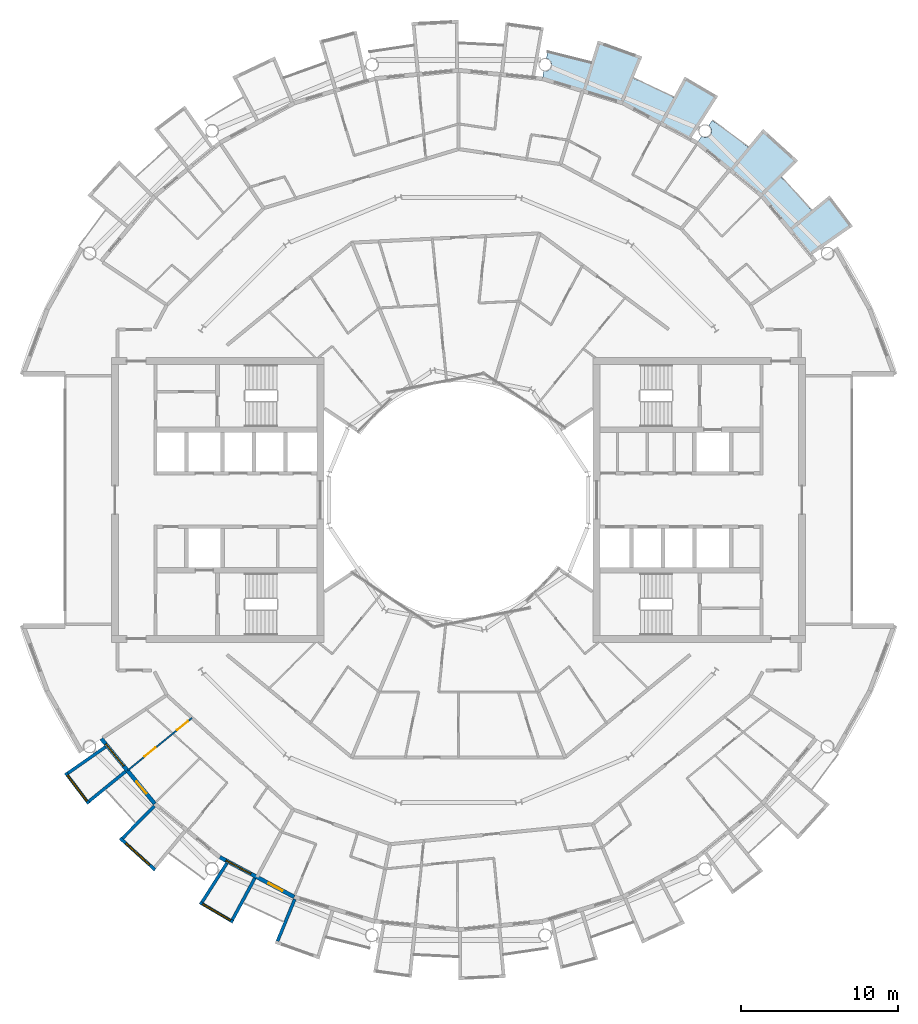
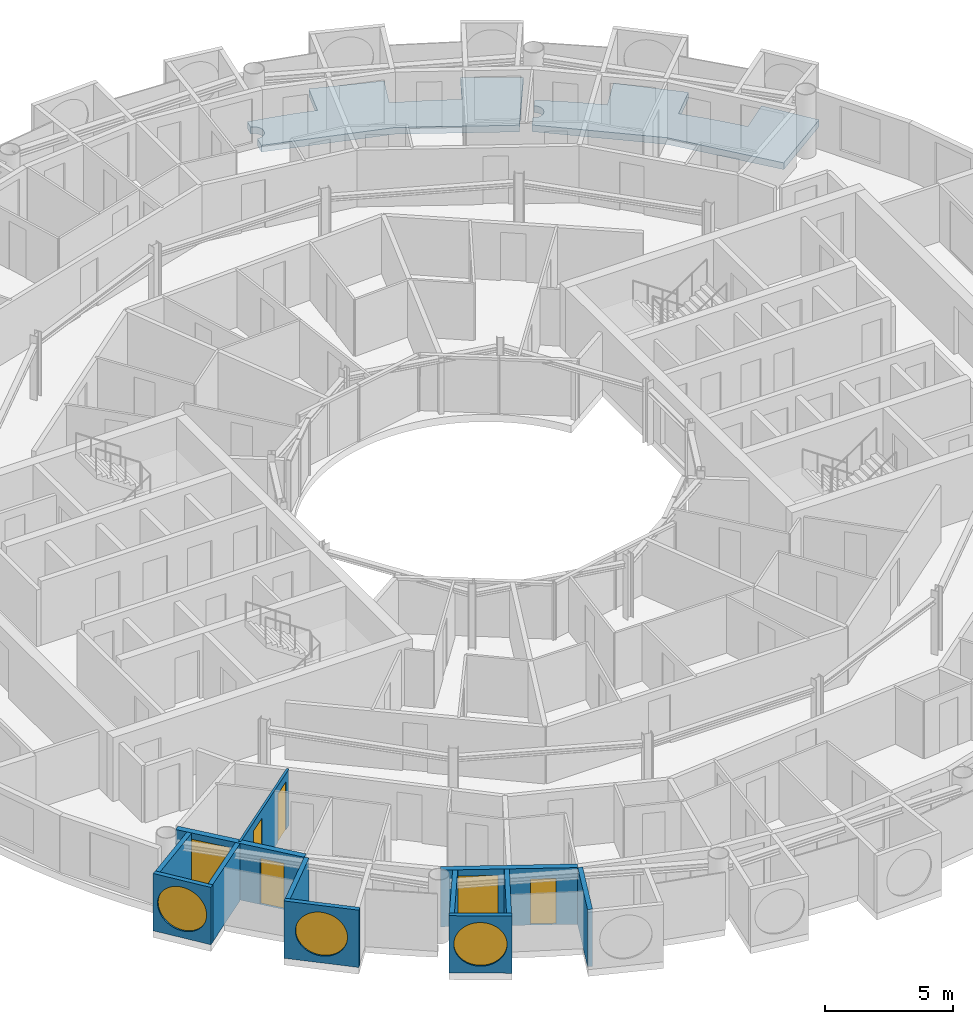
# One storey, part 14 of 29: 12 walls, 5 windows, 4 doors, 2 slabs, 9 openings.
"""IFC4 building model written with IfcOpenShell, lengths in metres."""

from ifc_helpers import new_model, si_unit, direction, frame, frame_2d, origin, place, context, subcontext, project, spatial, polyline, rectangle, circle, outline, extrude, material, layer, layer_set, type_object, element, fill, save


model = new_model("IFC4")

# Units and contexts
model_context = context("Model", 3, precision=1e-05, world=origin(), true_north=direction((0.0, 1.0)))
body_context = subcontext(model_context, "Body", "Model", "MODEL_VIEW")
ifc_project = project(units=[si_unit("LENGTHUNIT", "METRE"), si_unit("AREAUNIT", "SQUARE_METRE"), si_unit("VOLUMEUNIT", "CUBIC_METRE"), si_unit("PLANEANGLEUNIT", "RADIAN"), si_unit("MASSUNIT", "GRAM", prefix="KILO")], contexts=[model_context])

# Site, building, storey
site_placement = place(None, origin())
site = spatial("IfcSite", under=ifc_project, at=site_placement, CompositionType="ELEMENT")
building_placement = place(site_placement, origin())
building = spatial("IfcBuilding", under=site, at=building_placement, Name="Maasbend Ring Residences", CompositionType="ELEMENT")
storey_placement = place(building_placement, frame((0.0, 0.0, 205.449951171875)))
storey = spatial("IfcBuildingStorey", under=building, at=storey_placement, Name="L59", CompositionType="ELEMENT", Elevation=205.449951171875)

# Slabs
ifc_material_1 = material(Name="Concrete C40/50", Category="concrete")
ifc_layer_1 = layer(ifc_material_1, 0.199951171875)
ifc_layer_set_1 = layer_set([ifc_layer_1], Name="Concrete C40/50")
slab_type = type_object("IfcSlabType", Name="SL-LOGGIA", PredefinedType="FLOOR", material=ifc_layer_set_1)
slab_1_placement = place(storey_placement, frame((0.0, 0.0, -0.349853515625)))
element("IfcSlab", 1, at=slab_1_placement, inside=storey, type_object=slab_type, Name="Loggia floor 2", PredefinedType="FLOOR", context=body_context, shape_type="SweptSolid", body=[
    extrude(outline(polyline([(5.451904296875, 27.2548828125), (5.4619140625, 27.25390625), (5.471923828125, 27.2529296875), (5.48193359375, 27.251953125), (5.491943359375, 27.251953125), (5.501953125, 27.251953125), (5.510986328125, 27.251953125), (5.52099609375, 27.251953125), (5.531005859375, 27.2529296875), (5.541015625, 27.25390625), (5.551025390625, 27.2548828125), (5.56103515625, 27.256103515625), (5.571044921875, 27.258056640625), (5.5810546875, 27.259033203125), (5.591064453125, 27.260986328125), (5.60009765625, 27.263916015625), (5.610107421875, 27.26611328125), (5.6201171875, 27.26904296875), (5.62890625, 27.27197265625), (5.637939453125, 27.27490234375), (5.64794921875, 27.279052734375), (5.656982421875, 27.282958984375), (5.666015625, 27.285888671875), (5.675048828125, 27.291015625), (5.68408203125, 27.294921875), (5.693115234375, 27.300048828125), (5.701904296875, 27.303955078125), (5.7099609375, 27.30908203125), (5.718994140625, 27.31494140625), (5.72705078125, 27.320068359375), (5.736083984375, 27.325927734375), (5.743896484375, 27.33203125), (5.751953125, 27.337890625), (5.759033203125, 27.343994140625), (5.76708984375, 27.35009765625), (5.77392578125, 27.35693359375), (5.781982421875, 27.364013671875), (5.7890625, 27.37109375), (5.7958984375, 27.3779296875), (5.802978515625, 27.385009765625), (5.80908203125, 27.39306640625), (5.81591796875, 27.39990234375), (5.822021484375, 27.407958984375), (5.827880859375, 27.416015625), (5.833984375, 27.424072265625), (5.839111328125, 27.431884765625), (5.844970703125, 27.44091796875), (5.85009765625, 27.448974609375), (5.85498046875, 27.4580078125), (5.860107421875, 27.466064453125), (5.864990234375, 27.47509765625), (5.868896484375, 27.48388671875), (5.873046875, 27.492919921875), (5.876953125, 27.5029296875), (5.881103515625, 27.511962890625), (5.884033203125, 27.52099609375), (5.886962890625, 27.531005859375), (5.889892578125, 27.5400390625), (5.89306640625, 27.550048828125), (5.89599609375, 27.55908203125), (5.89794921875, 27.569091796875), (5.89990234375, 27.5791015625), (5.902099609375, 27.589111328125), (5.904052734375, 27.597900390625), (5.905029296875, 27.60791015625), (5.906005859375, 27.617919921875), (5.906982421875, 27.6279296875), (5.907958984375, 27.637939453125), (5.907958984375, 27.64794921875), (5.907958984375, 27.657958984375), (5.907958984375, 27.66796875), (5.907958984375, 27.677978515625), (5.906982421875, 27.68798828125), (5.906005859375, 27.697998046875), (5.905029296875, 27.7080078125), (5.904052734375, 27.718017578125), (5.902099609375, 27.72802734375), (5.89990234375, 27.737060546875), (5.89794921875, 27.7470703125), (5.89599609375, 27.757080078125), (5.89306640625, 27.76708984375), (5.889892578125, 27.77587890625), (5.886962890625, 27.785888671875), (5.884033203125, 27.794921875), (5.881103515625, 27.803955078125), (5.876953125, 27.81396484375), (5.873046875, 27.822998046875), (5.868896484375, 27.83203125), (5.864990234375, 27.841064453125), (5.860107421875, 27.85009765625), (5.85498046875, 27.85791015625), (5.85009765625, 27.866943359375), (5.844970703125, 27.8759765625), (5.839111328125, 27.884033203125), (5.833984375, 27.89208984375), (5.827880859375, 27.89990234375), (5.822021484375, 27.907958984375), (5.81591796875, 27.916015625), (5.80908203125, 27.924072265625), (5.802978515625, 27.930908203125), (5.7958984375, 27.93798828125), (5.7890625, 27.946044921875), (5.781982421875, 27.952880859375), (5.77392578125, 27.958984375), (5.76708984375, 27.966064453125), (5.759033203125, 27.971923828125), (5.751953125, 27.97900390625), (5.743896484375, 27.985107421875), (5.736083984375, 27.989990234375), (5.72705078125, 27.99609375), (5.718994140625, 28.001953125), (5.7099609375, 28.007080078125), (5.701904296875, 28.011962890625), (5.693115234375, 28.01708984375), (5.68408203125, 28.02099609375), (5.675048828125, 28.02587890625), (5.666015625, 28.030029296875), (5.656982421875, 28.033935546875), (5.64794921875, 28.037109375), (5.637939453125, 28.041015625), (5.62890625, 28.0439453125), (5.6201171875, 28.047119140625), (5.610107421875, 28.050048828125), (5.60009765625, 28.052001953125), (5.591064453125, 28.054931640625), (5.5810546875, 28.056884765625), (5.657958984375, 28.443115234375), (5.657958984375, 28.443115234375), (5.657958984375, 28.443115234375), (6.5849609375, 28.241943359375), (6.5849609375, 28.241943359375), (7.506103515625, 28.011962890625), (7.506103515625, 28.011962890625), (8.41796875, 27.7509765625), (8.41796875, 27.7509765625), (8.41796875, 27.7509765625), (8.41796875, 27.7509765625), (8.41796875, 27.7509765625), (8.41796875, 27.7509765625), (8.41796875, 27.7509765625), (8.41796875, 27.7509765625), (8.41796875, 27.7509765625), (8.41796875, 27.7509765625), (8.41796875, 27.751953125), (8.41796875, 27.751953125), (8.41796875, 27.751953125), (8.41796875, 27.751953125), (8.41796875, 27.751953125), (8.41796875, 27.751953125), (8.41796875, 27.751953125), (8.85400390625, 29.18701171875), (8.85400390625, 29.18701171875), (8.85400390625, 29.18701171875), (11.672119140625, 28.177978515625), (11.672119140625, 28.177978515625), (11.672119140625, 28.177978515625), (11.097900390625, 26.79296875), (11.097900390625, 26.79296875), (11.097900390625, 26.79296875), (11.097900390625, 26.79296875), (11.097900390625, 26.79296875), (11.097900390625, 26.79296875), (11.097900390625, 26.79296875), (11.097900390625, 26.79296875), (11.097900390625, 26.79296875), (11.097900390625, 26.79296875), (11.097900390625, 26.7919921875), (11.097900390625, 26.7919921875), (11.097900390625, 26.7919921875), (11.097900390625, 26.7919921875), (11.097900390625, 26.7919921875), (11.097900390625, 26.7919921875), (11.097900390625, 26.7919921875), (11.968994140625, 26.4150390625), (11.968994140625, 26.4150390625), (12.825927734375, 26.009033203125), (12.825927734375, 26.009033203125), (13.669921875, 25.575927734375), (13.669921875, 25.575927734375), (13.669921875, 25.575927734375), (13.669921875, 25.575927734375), (13.669921875, 25.575927734375), (13.669921875, 25.575927734375), (13.669921875, 25.575927734375), (13.669921875, 25.575927734375), (13.669921875, 25.575927734375), (13.669921875, 25.575927734375), (13.6708984375, 25.575927734375), (13.6708984375, 25.575927734375), (13.6708984375, 25.575927734375), (13.6708984375, 25.575927734375), (13.6708984375, 25.575927734375), (13.6708984375, 25.575927734375), (13.6708984375, 25.575927734375), (14.3779296875, 26.89892578125), (14.3779296875, 26.89892578125), (14.3779296875, 26.89892578125), (16.487060546875, 25.659912109375), (16.487060546875, 25.659912109375), (16.487060546875, 25.659912109375), (14.73291015625, 22.930908203125), (14.73291015625, 22.930908203125), (14.73291015625, 22.930908203125), (12.806884765625, 23.9609375), (10.447021484375, 25.221923828125), (10.447021484375, 25.221923828125), (10.447021484375, 25.221923828125), (7.886962890625, 25.9990234375), (5.325927734375, 26.77490234375), (5.325927734375, 26.77490234375), (5.325927734375, 26.77490234375), (5.422119140625, 27.259033203125), (5.431884765625, 27.258056640625), (5.44189453125, 27.256103515625), (5.451904296875, 27.2548828125)])), origin(), (0.0, 0.0, 1.0), 0.31982421875),
])
slab_2_placement = place(storey_placement, frame((0.0, 0.0, -0.349853515625)))
element("IfcSlab", 2, at=slab_2_placement, inside=storey, type_object=slab_type, Name="Loggia floor 5", PredefinedType="FLOOR", context=body_context, shape_type="SweptSolid", body=[
    extrude(outline(polyline([(15.4580078125, 23.09912109375), (15.467041015625, 23.093994140625), (15.47509765625, 23.089111328125), (15.48388671875, 23.083984375), (15.492919921875, 23.080078125), (15.501953125, 23.075927734375), (15.511962890625, 23.072021484375), (15.52099609375, 23.068115234375), (15.530029296875, 23.06494140625), (15.5400390625, 23.06103515625), (15.549072265625, 23.05810546875), (15.55908203125, 23.055908203125), (15.568115234375, 23.052978515625), (15.577880859375, 23.051025390625), (15.587890625, 23.049072265625), (15.597900390625, 23.047119140625), (15.60693359375, 23.044921875), (15.616943359375, 23.0439453125), (15.626953125, 23.04296875), (15.636962890625, 23.0419921875), (15.64697265625, 23.041015625), (15.656982421875, 23.041015625), (15.6669921875, 23.041015625), (15.677001953125, 23.041015625), (15.68701171875, 23.041015625), (15.697021484375, 23.0419921875), (15.70703125, 23.04296875), (15.717041015625, 23.0439453125), (15.72705078125, 23.044921875), (15.737060546875, 23.047119140625), (15.74609375, 23.049072265625), (15.756103515625, 23.051025390625), (15.76611328125, 23.052978515625), (15.77587890625, 23.055908203125), (15.784912109375, 23.05810546875), (15.794921875, 23.06103515625), (15.803955078125, 23.06494140625), (15.81298828125, 23.068115234375), (15.822998046875, 23.072021484375), (15.83203125, 23.075927734375), (15.841064453125, 23.080078125), (15.85009765625, 23.083984375), (15.85888671875, 23.089111328125), (15.866943359375, 23.093994140625), (15.8759765625, 23.09912109375), (15.885009765625, 23.10400390625), (15.89306640625, 23.10888671875), (15.90087890625, 23.114990234375), (15.908935546875, 23.12109375), (15.9169921875, 23.126953125), (15.925048828125, 23.133056640625), (15.93310546875, 23.139892578125), (15.93994140625, 23.14599609375), (15.947021484375, 23.153076171875), (15.955078125, 23.159912109375), (15.9619140625, 23.1669921875), (15.968017578125, 23.174072265625), (15.97509765625, 23.181884765625), (15.98095703125, 23.18994140625), (15.988037109375, 23.197021484375), (15.993896484375, 23.205078125), (15.9990234375, 23.212890625), (16.0048828125, 23.221923828125), (16.010986328125, 23.22998046875), (16.01611328125, 23.238037109375), (16.02099609375, 23.2470703125), (16.02587890625, 23.256103515625), (16.030029296875, 23.264892578125), (16.034912109375, 23.27392578125), (16.0390625, 23.282958984375), (16.04296875, 23.2919921875), (16.0458984375, 23.301025390625), (16.050048828125, 23.31005859375), (16.052978515625, 23.320068359375), (16.055908203125, 23.3291015625), (16.05908203125, 23.339111328125), (16.06103515625, 23.34912109375), (16.06396484375, 23.35791015625), (16.06591796875, 23.367919921875), (16.068115234375, 23.3779296875), (16.069091796875, 23.387939453125), (16.071044921875, 23.39794921875), (16.072021484375, 23.407958984375), (16.072021484375, 23.4169921875), (16.072998046875, 23.427001953125), (16.072998046875, 23.43701171875), (16.073974609375, 23.447021484375), (16.072998046875, 23.45703125), (16.072998046875, 23.467041015625), (16.072021484375, 23.47705078125), (16.072021484375, 23.487060546875), (16.071044921875, 23.4970703125), (16.069091796875, 23.507080078125), (16.068115234375, 23.51708984375), (16.06591796875, 23.527099609375), (16.06396484375, 23.535888671875), (16.06103515625, 23.5458984375), (16.05908203125, 23.555908203125), (16.055908203125, 23.56494140625), (16.052978515625, 23.574951171875), (16.050048828125, 23.583984375), (16.0458984375, 23.593994140625), (16.04296875, 23.60302734375), (16.0390625, 23.612060546875), (16.034912109375, 23.62109375), (16.030029296875, 23.6298828125), (16.02587890625, 23.638916015625), (16.02099609375, 23.64794921875), (16.01611328125, 23.656005859375), (16.010986328125, 23.6650390625), (16.0048828125, 23.673095703125), (15.9990234375, 23.680908203125), (15.993896484375, 23.68994140625), (15.988037109375, 23.697021484375), (15.98095703125, 23.705078125), (15.97509765625, 23.712890625), (15.968017578125, 23.719970703125), (15.9619140625, 23.72802734375), (15.955078125, 23.735107421875), (15.947021484375, 23.741943359375), (15.93994140625, 23.7490234375), (15.93310546875, 23.7548828125), (15.925048828125, 23.761962890625), (15.9169921875, 23.76806640625), (15.908935546875, 23.77392578125), (15.90087890625, 23.780029296875), (15.89306640625, 23.784912109375), (15.89306640625, 23.784912109375), (16.112060546875, 24.113037109375), (16.112060546875, 24.113037109375), (16.112060546875, 24.113037109375), (16.89208984375, 23.572998046875), (16.89208984375, 23.572998046875), (17.654052734375, 23.007080078125), (17.654052734375, 23.007080078125), (18.39697265625, 22.41796875), (18.39697265625, 22.41796875), (18.39697265625, 22.41796875), (18.39697265625, 22.41796875), (18.39697265625, 22.41796875), (18.39697265625, 22.41796875), (18.39697265625, 22.41796875), (18.39697265625, 22.41796875), (18.39697265625, 22.41796875), (18.39697265625, 22.41796875), (18.39697265625, 22.41796875), (18.39794921875, 22.41796875), (18.39794921875, 22.41796875), (18.39794921875, 22.41796875), (18.39794921875, 22.41796875), (18.39794921875, 22.41796875), (18.39794921875, 22.41796875), (19.34912109375, 23.576904296875), (19.34912109375, 23.576904296875), (19.34912109375, 23.576904296875), (21.56689453125, 21.56689453125), (21.56689453125, 21.56689453125), (21.56689453125, 21.56689453125), (20.506103515625, 20.506103515625), (20.506103515625, 20.506103515625), (20.506103515625, 20.506103515625), (20.506103515625, 20.506103515625), (20.506103515625, 20.506103515625), (20.506103515625, 20.506103515625), (20.506103515625, 20.506103515625), (20.506103515625, 20.506103515625), (20.506103515625, 20.506103515625), (20.506103515625, 20.506103515625), (20.506103515625, 20.506103515625), (20.506103515625, 20.506103515625), (20.506103515625, 20.506103515625), (20.506103515625, 20.506103515625), (20.506103515625, 20.506103515625), (20.506103515625, 20.506103515625), (20.506103515625, 20.506103515625), (21.166015625, 19.823974609375), (21.166015625, 19.823974609375), (21.802978515625, 19.12109375), (21.802978515625, 19.12109375), (22.4169921875, 18.39794921875), (22.4169921875, 18.39794921875), (22.4169921875, 18.39794921875), (22.4169921875, 18.39794921875), (22.4169921875, 18.39794921875), (22.4169921875, 18.39794921875), (22.4169921875, 18.39794921875), (22.4169921875, 18.39794921875), (22.4169921875, 18.39794921875), (22.4169921875, 18.39794921875), (22.4169921875, 18.39794921875), (22.4169921875, 18.39794921875), (22.41796875, 18.39794921875), (22.41796875, 18.39794921875), (22.41796875, 18.39794921875), (22.41796875, 18.39794921875), (22.41796875, 18.39794921875), (23.576904296875, 19.34912109375), (23.576904296875, 19.34912109375), (23.576904296875, 19.34912109375), (25.051025390625, 17.39794921875), (25.051025390625, 17.39794921875), (25.051025390625, 17.39794921875), (22.386962890625, 15.547119140625), (22.386962890625, 15.547119140625), (22.386962890625, 15.547119140625), (21.001953125, 17.236083984375), (19.303955078125, 19.303955078125), (19.303955078125, 19.303955078125), (19.303955078125, 19.303955078125), (17.236083984375, 21.001953125), (15.1669921875, 22.698974609375), (15.1669921875, 22.698974609375), (15.1669921875, 22.698974609375), (15.44091796875, 23.10888671875), (15.44091796875, 23.10888671875), (15.449951171875, 23.10400390625), (15.4580078125, 23.09912109375)])), origin(), (0.0, 0.0, 1.0), 0.31982421875),
])

# Wall, opening, window
ifc_material_2 = material(Name="Pale anodised aluminium panel", Category="aluminium")
ifc_layer_2 = layer(ifc_material_2, 0.199951171875)
ifc_layer_set_2 = layer_set([ifc_layer_2], Name="EW-BOX")
wall_type_1 = type_object("IfcWallType", Name="EW-BOX", PredefinedType="SOLIDWALL", material=ifc_layer_set_2)
wall_1_placement = place(storey_placement, frame((-24.971923828125, -17.3369140625, -0.030029296875), z_axis=(0.0, 0.0, 1.0), x_axis=(0.602806268067, -0.797887588059, 0.0)))
wall_1 = element("IfcWall", 3, at=wall_1_placement, inside=storey, type_object=wall_type_1, Name="Box front S01", PredefinedType="SOLIDWALL", context=body_context, shape_type="SweptSolid", body=[
    extrude(rectangle(XDim=2.446533203125, YDim=0.199951171875, at=frame_2d((1.22314453125, 0.0))), origin(), (0.0, 0.0, 1.0), 2.72998046875),
])
opening_1_placement = place(wall_1_placement, frame((0.182861328125, 0.0, 0.330078125)))
opening_1 = element("IfcOpeningElement", 4, at=opening_1_placement, cuts=wall_1, Name="Opening W-RD", PredefinedType="OPENING", context=body_context, shape_type="SweptSolid", body=[
    extrude(circle(Radius=1.0400390625, at=frame_2d((1.0400390625, 1.0400390625))), frame((0.0, 0.10986328125, 0.0), z_axis=(0.0, -1.0, 0.0), x_axis=(1.0, 0.0, 0.0)), (0.0, 0.0, 1.0), 0.219970703125),
])
ifc_material_3 = material(Name="Aluminium and clear glass", Category="aluminium")
window_type_1 = type_object("IfcWindowType", Name="W-RD", PartitioningType="SINGLE_PANEL", PredefinedType="WINDOW", material=ifc_material_3)
window_1_placement = place(opening_1_placement, origin())
window_1 = element("IfcWindow", 5, at=window_1_placement, inside=storey, type_object=window_type_1, Name="Round window S01", OverallHeight=2.080078125, OverallWidth=2.080078125, PartitioningType="SINGLE_PANEL", PredefinedType="WINDOW", context=body_context, shape_type="SweptSolid", body=[
    extrude(circle(Radius=1.0400390625, at=frame_2d((1.0400390625, 1.0400390625))), frame((0.0, 0.030029296875, 0.0), z_axis=(0.0, -1.0, 0.0), x_axis=(1.0, 0.0, 0.0)), (0.0, 0.0, 1.0), 0.06005859375),
])
fill(opening_1, window_1)

# Walls
wall_2_placement = place(storey_placement, frame((-22.43310546875, -15.68798828125, -0.030029296875), z_axis=(0.0, 0.0, 1.0), x_axis=(-0.819373043115, -0.573260687834, 0.0)))
element("IfcWall", 6, at=wall_2_placement, inside=storey, type_object=wall_type_1, Name="Box side wall S01 left", PredefinedType="SOLIDWALL", context=body_context, shape_type="SweptSolid", body=[
    extrude(rectangle(XDim=2.92529296875, YDim=0.199951171875, at=frame_2d((1.462646484375, 0.0))), origin(), (0.0, 0.0, 1.0), 2.72998046875),
])
wall_3_placement = place(storey_placement, frame((-21.155029296875, -17.24609375, -0.030029296875), z_axis=(0.0, 0.0, 1.0), x_axis=(-0.775179004516, -0.631741648902, 0.0)))
element("IfcWall", 7, at=wall_3_placement, inside=storey, type_object=wall_type_1, Name="Box side wall S01 right", PredefinedType="SOLIDWALL", context=body_context, shape_type="SweptSolid", body=[
    extrude(rectangle(XDim=3.005859375, YDim=0.199951171875, at=frame_2d((1.5029296875, 0.0))), origin(), (0.0, 0.0, 1.0), 2.72998046875),
])

# Wall, opening, window
wall_4_placement = place(storey_placement, frame((-21.5, -21.492919921875, -0.030029296875), z_axis=(0.0, 0.0, 1.0), x_axis=(0.740998365753, -0.671506829416, 0.0)))
wall_4 = element("IfcWall", 8, at=wall_4_placement, inside=storey, type_object=wall_type_1, Name="Box front S03", PredefinedType="SOLIDWALL", context=body_context, shape_type="SweptSolid", body=[
    extrude(rectangle(XDim=2.9931640625, YDim=0.199951171875, at=frame_2d((1.49658203125, 0.0))), origin(), (0.0, 0.0, 1.0), 2.72998046875),
])
opening_2_placement = place(wall_4_placement, frame((0.45654296875, 0.0, 0.330078125)))
opening_2 = element("IfcOpeningElement", 9, at=opening_2_placement, cuts=wall_4, Name="Opening W-RD", PredefinedType="OPENING", context=body_context, shape_type="SweptSolid", body=[
    extrude(circle(Radius=1.0400390625, at=frame_2d((1.0400390625, 1.0400390625))), frame((0.0, 0.10986328125, 0.0), z_axis=(0.0, -1.0, 0.0), x_axis=(1.0, 0.0, 0.0)), (0.0, 0.0, 1.0), 0.219970703125),
])
window_2_placement = place(opening_2_placement, origin())
window_2 = element("IfcWindow", 10, at=window_2_placement, inside=storey, type_object=window_type_1, Name="Round window S03", OverallHeight=2.080078125, OverallWidth=2.080078125, PartitioningType="SINGLE_PANEL", PredefinedType="WINDOW", context=body_context, shape_type="SweptSolid", body=[
    extrude(circle(Radius=1.0400390625, at=frame_2d((1.0400390625, 1.0400390625))), frame((0.0, 0.030029296875, 0.0), z_axis=(0.0, -1.0, 0.0), x_axis=(1.0, 0.0, 0.0)), (0.0, 0.0, 1.0), 0.06005859375),
])
fill(opening_2, window_2)

# Wall
wall_5_placement = place(storey_placement, frame((-19.322998046875, -19.449951171875, -0.030029296875), z_axis=(0.0, 0.0, 1.0), x_axis=(-0.704476739375, -0.709727076896, 0.0)))
element("IfcWall", 11, at=wall_5_placement, inside=storey, type_object=wall_type_1, Name="Box side wall S03 left", PredefinedType="SOLIDWALL", context=body_context, shape_type="SweptSolid", body=[
    extrude(rectangle(XDim=2.883056640625, YDim=0.199951171875, at=frame_2d((1.44140625, 0.0))), origin(), (0.0, 0.0, 1.0), 2.72998046875),
])

# Wall, opening, window
wall_6_placement = place(storey_placement, frame((-16.43603515625, -25.573974609375, -0.030029296875), z_axis=(0.0, 0.0, 1.0), x_axis=(0.862403467503, -0.506221551535, 0.0)))
wall_6 = element("IfcWall", 12, at=wall_6_placement, inside=storey, type_object=wall_type_1, Name="Box front S05", PredefinedType="SOLIDWALL", context=body_context, shape_type="SweptSolid", body=[
    extrude(rectangle(XDim=2.445556640625, YDim=0.199951171875, at=frame_2d((1.22265625, 0.0))), origin(), (0.0, 0.0, 1.0), 2.72998046875),
])
opening_3_placement = place(wall_6_placement, frame((0.182861328125, 0.0, 0.330078125)))
opening_3 = element("IfcOpeningElement", 13, at=opening_3_placement, cuts=wall_6, Name="Opening W-RD", PredefinedType="OPENING", context=body_context, shape_type="SweptSolid", body=[
    extrude(circle(Radius=1.0400390625, at=frame_2d((1.0400390625, 1.0400390625))), frame((0.0, 0.10986328125, 0.0), z_axis=(0.0, -1.0, 0.0), x_axis=(1.0, 0.0, 0.0)), (0.0, 0.0, 1.0), 0.219970703125),
])
window_3_placement = place(opening_3_placement, origin())
window_3 = element("IfcWindow", 14, at=window_3_placement, inside=storey, type_object=window_type_1, Name="Round window S05", OverallHeight=2.080078125, OverallWidth=2.080078125, PartitioningType="SINGLE_PANEL", PredefinedType="WINDOW", context=body_context, shape_type="SweptSolid", body=[
    extrude(circle(Radius=1.0400390625, at=frame_2d((1.0400390625, 1.0400390625))), frame((0.0, 0.030029296875, 0.0), z_axis=(0.0, -1.0, 0.0), x_axis=(1.0, 0.0, 0.0)), (0.0, 0.0, 1.0), 0.06005859375),
])
fill(opening_3, window_3)

# Walls
wall_7_placement = place(storey_placement, frame((-14.721923828125, -23.0791015625, -0.030029296875), z_axis=(0.0, 0.0, 1.0), x_axis=(-0.537572179146, -0.843217737129, 0.0)))
element("IfcWall", 15, at=wall_7_placement, inside=storey, type_object=wall_type_1, Name="Box side wall S05 left", PredefinedType="SOLIDWALL", context=body_context, shape_type="SweptSolid", body=[
    extrude(rectangle(XDim=2.92431640625, YDim=0.199951171875, at=frame_2d((1.462158203125, 0.0))), origin(), (0.0, 0.0, 1.0), 2.72998046875),
])
wall_8_placement = place(storey_placement, frame((-12.945068359375, -24.029052734375, -0.030029296875), z_axis=(0.0, 0.0, 1.0), x_axis=(-0.474424310775, -0.88029629861, 0.0)))
element("IfcWall", 16, at=wall_8_placement, inside=storey, type_object=wall_type_1, Name="Box side wall S05 right", PredefinedType="SOLIDWALL", context=body_context, shape_type="SweptSolid", body=[
    extrude(rectangle(XDim=3.005859375, YDim=0.199951171875, at=frame_2d((1.5029296875, 0.0))), origin(), (0.0, 0.0, 1.0), 2.72998046875),
])
wall_9_placement = place(storey_placement, frame((-10.408935546875, -25.364013671875, -0.030029296875), z_axis=(0.0, 0.0, 1.0), x_axis=(-0.379509886562, -0.925187681501, 0.0)))
element("IfcWall", 17, at=wall_9_placement, inside=storey, type_object=wall_type_1, Name="Box side wall S07 left", PredefinedType="SOLIDWALL", context=body_context, shape_type="SweptSolid", body=[
    extrude(rectangle(XDim=2.882568359375, YDim=0.199951171875, at=frame_2d((1.44140625, 0.0))), origin(), (0.0, 0.0, 1.0), 2.72998046875),
])

# Wall, openings, door, window
ifc_material_4 = material(Name="Aluminium clad insulated panel", Category="aluminium")
ifc_layer_3 = layer(ifc_material_4, 0.25)
ifc_layer_set_3 = layer_set([ifc_layer_3], Name="EW-GL")
wall_type_2 = type_object("IfcWallType", Name="EW-GL", PredefinedType="SOLIDWALL", material=ifc_layer_set_3)
wall_10_placement = place(storey_placement, frame((-22.698974609375, -15.1669921875, 0.0), z_axis=(0.0, 0.0, 1.0), x_axis=(0.634382322723, -0.773019449054, 0.0)))
wall_10 = element("IfcWall", 18, at=wall_10_placement, inside=storey, type_object=wall_type_2, Name="External wall S01", PredefinedType="SOLIDWALL", context=body_context, shape_type="SweptSolid", body=[
    extrude(rectangle(XDim=5.351806640625, YDim=0.25, at=frame_2d((2.67578125, 0.0))), origin(), (0.0, 0.0, 1.0), 2.699951171875),
])
opening_4_placement = place(wall_10_placement, frame((0.441162109375, 0.0, 0.300048828125)))
opening_4 = element("IfcOpeningElement", 19, at=opening_4_placement, cuts=wall_10, Name="Opening W-BX", PredefinedType="OPENING", context=body_context, shape_type="SweptSolid", body=[
    extrude(rectangle(XDim=1.800048828125, YDim=2.10009765625, at=frame_2d((0.89990234375, 1.050048828125))), frame((0.0, 0.135009765625, 0.0), z_axis=(0.0, -1.0, 0.0), x_axis=(1.0, 0.0, 0.0)), (0.0, 0.0, 1.0), 0.27001953125),
])
opening_5_placement = place(wall_10_placement, frame((3.510498046875, 0.0, 0.0)))
opening_5 = element("IfcOpeningElement", 20, at=opening_5_placement, cuts=wall_10, Name="Opening D-LG", PredefinedType="OPENING", context=body_context, shape_type="SweptSolid", body=[
    extrude(rectangle(XDim=1.0, YDim=2.199951171875, at=frame_2d((0.5, 1.10009765625))), frame((0.0, 0.135009765625, 0.0), z_axis=(0.0, -1.0, 0.0), x_axis=(1.0, 0.0, 0.0)), (0.0, 0.0, 1.0), 0.27001953125),
])
ifc_material_5 = material(Name="Aluminium and clear glass", Category="aluminium")
door_type_1 = type_object("IfcDoorType", Name="D-LG", OperationType="SINGLE_SWING_LEFT", PredefinedType="DOOR", material=ifc_material_5)
door_1_placement = place(opening_5_placement, origin())
door_1 = element("IfcDoor", 21, at=door_1_placement, inside=storey, type_object=door_type_1, Name="Loggia door S02", OperationType="SINGLE_SWING_LEFT", OverallHeight=2.199951171875, OverallWidth=1.0, PredefinedType="DOOR", context=body_context, shape_type="SweptSolid", body=[
    extrude(rectangle(XDim=1.0, YDim=2.199951171875, at=frame_2d((0.5, 1.10009765625))), frame((0.0, 0.02490234375, 0.0), z_axis=(0.0, -1.0, 0.0), x_axis=(1.0, 0.0, 0.0)), (0.0, 0.0, 1.0), 0.050048828125),
])
fill(opening_5, door_1)
ifc_material_6 = material(Name="Aluminium and clear glass", Category="aluminium")
window_type_2 = type_object("IfcWindowType", Name="W-BX", PartitioningType="DOUBLE_PANEL_VERTICAL", PredefinedType="WINDOW", material=ifc_material_6)
window_4_placement = place(opening_4_placement, origin())
window_4 = element("IfcWindow", 22, at=window_4_placement, inside=storey, type_object=window_type_2, Name="Window S01 room to box", OverallHeight=2.10009765625, OverallWidth=1.800048828125, PartitioningType="SINGLE_PANEL", PredefinedType="WINDOW", context=body_context, shape_type="SweptSolid", body=[
    extrude(rectangle(XDim=1.800048828125, YDim=2.10009765625, at=frame_2d((0.89990234375, 1.050048828125))), frame((0.0, 0.030029296875, 0.0), z_axis=(0.0, -1.0, 0.0), x_axis=(1.0, 0.0, 0.0)), (0.0, 0.0, 1.0), 0.06005859375),
])
fill(opening_4, window_4)

wall_11_placement = place(storey_placement, frame((-15.1669921875, -22.698974609375, 0.0), z_axis=(0.0, 0.0, 1.0), x_axis=(0.881915646801, -0.471407246368, 0.0)))
wall_11 = element("IfcWall", 23, at=wall_11_placement, inside=storey, type_object=wall_type_2, Name="External wall S03", PredefinedType="SOLIDWALL", context=body_context, shape_type="SweptSolid", body=[
    extrude(rectangle(XDim=5.35205078125, YDim=0.25, at=frame_2d((2.676025390625, 0.0))), origin(), (0.0, 0.0, 1.0), 2.699951171875),
])
opening_6_placement = place(wall_11_placement, frame((0.441162109375, 0.0, 0.300048828125)))
opening_6 = element("IfcOpeningElement", 24, at=opening_6_placement, cuts=wall_11, Name="Opening W-BX", PredefinedType="OPENING", context=body_context, shape_type="SweptSolid", body=[
    extrude(rectangle(XDim=1.800048828125, YDim=2.10009765625, at=frame_2d((0.89990234375, 1.050048828125))), frame((0.0, 0.135009765625, 0.0), z_axis=(0.0, -1.0, 0.0), x_axis=(1.0, 0.0, 0.0)), (0.0, 0.0, 1.0), 0.27001953125),
])
opening_7_placement = place(wall_11_placement, frame((3.510498046875, 0.0, 0.0)))
opening_7 = element("IfcOpeningElement", 25, at=opening_7_placement, cuts=wall_11, Name="Opening D-LG", PredefinedType="OPENING", context=body_context, shape_type="SweptSolid", body=[
    extrude(rectangle(XDim=1.0, YDim=2.199951171875, at=frame_2d((0.5, 1.10009765625))), frame((0.0, 0.135009765625, 0.0), z_axis=(0.0, -1.0, 0.0), x_axis=(1.0, 0.0, 0.0)), (0.0, 0.0, 1.0), 0.27001953125),
])
door_2_placement = place(opening_7_placement, origin())
door_2 = element("IfcDoor", 26, at=door_2_placement, inside=storey, type_object=door_type_1, Name="Loggia door S06", OperationType="SINGLE_SWING_LEFT", OverallHeight=2.199951171875, OverallWidth=1.0, PredefinedType="DOOR", context=body_context, shape_type="SweptSolid", body=[
    extrude(rectangle(XDim=1.0, YDim=2.199951171875, at=frame_2d((0.5, 1.10009765625))), frame((0.0, 0.02490234375, 0.0), z_axis=(0.0, -1.0, 0.0), x_axis=(1.0, 0.0, 0.0)), (0.0, 0.0, 1.0), 0.050048828125),
])
fill(opening_7, door_2)
window_5_placement = place(opening_6_placement, origin())
window_5 = element("IfcWindow", 27, at=window_5_placement, inside=storey, type_object=window_type_2, Name="Window S05 room to box", OverallHeight=2.10009765625, OverallWidth=1.800048828125, PartitioningType="SINGLE_PANEL", PredefinedType="WINDOW", context=body_context, shape_type="SweptSolid", body=[
    extrude(rectangle(XDim=1.800048828125, YDim=2.10009765625, at=frame_2d((0.89990234375, 1.050048828125))), frame((0.0, 0.030029296875, 0.0), z_axis=(0.0, -1.0, 0.0), x_axis=(1.0, 0.0, 0.0)), (0.0, 0.0, 1.0), 0.06005859375),
])
fill(opening_6, window_5)

# Wall, openings, doors
ifc_material_7 = material(Name="Gypsum board on steel studs", Category="steel")
ifc_layer_4 = layer(ifc_material_7, 0.10009765625)
ifc_layer_set_4 = layer_set([ifc_layer_4], Name="PARTITION 100 GYPSUM")
wall_type_3 = type_object("IfcWallType", Name="PARTITION 100 GYPSUM", PredefinedType="PARTITIONING", material=ifc_layer_set_4)
wall_12_placement = place(storey_placement, frame((-21.0400390625, -17.198974609375, 0.0), z_axis=(0.0, 0.0, 1.0), x_axis=(0.774310172558, 0.632806255241, 0.0)))
wall_12 = element("IfcWall", 28, at=wall_12_placement, inside=storey, type_object=wall_type_3, Name="U-L59-w037", PredefinedType="PARTITIONING", context=body_context, shape_type="SweptSolid", body=[
    extrude(rectangle(XDim=5.30029296875, YDim=0.10009765625, at=frame_2d((2.650146484375, 0.0))), origin(), (0.0, 0.0, 1.0), 2.699951171875),
])
opening_8_placement = place(wall_12_placement, frame((4.06591796875, 0.0, 0.0)))
opening_8 = element("IfcOpeningElement", 29, at=opening_8_placement, cuts=wall_12, Name="Opening D-5936", PredefinedType="OPENING", context=body_context, shape_type="SweptSolid", body=[
    extrude(rectangle(XDim=0.89990234375, YDim=2.300048828125, at=frame_2d((0.449951171875, 1.14990234375))), frame((0.0, 0.06005859375, 0.0), z_axis=(0.0, -1.0, 0.0), x_axis=(1.0, 0.0, 0.0)), (0.0, 0.0, 1.0), 0.1201171875),
])
opening_9_placement = place(wall_12_placement, frame((1.416015625, 0.0, 0.0)))
opening_9 = element("IfcOpeningElement", 30, at=opening_9_placement, cuts=wall_12, Name="Opening D-5939", PredefinedType="OPENING", context=body_context, shape_type="SweptSolid", body=[
    extrude(rectangle(XDim=0.89990234375, YDim=2.300048828125, at=frame_2d((0.449951171875, 1.14990234375))), frame((0.0, 0.06005859375, 0.0), z_axis=(0.0, -1.0, 0.0), x_axis=(1.0, 0.0, 0.0)), (0.0, 0.0, 1.0), 0.1201171875),
])
ifc_material_8 = material(Name="Timber, painted", Category="wood")
door_type_2 = type_object("IfcDoorType", Name="INTERNAL DOOR 900 X 2300", OperationType="NOTDEFINED", PredefinedType="DOOR", material=ifc_material_8)
door_3_placement = place(opening_8_placement, origin())
door_3 = element("IfcDoor", 31, at=door_3_placement, inside=storey, type_object=door_type_2, Name="D-5936", OperationType="SINGLE_SWING_RIGHT", OverallHeight=2.300048828125, OverallWidth=0.89990234375, PredefinedType="DOOR", context=body_context, shape_type="SweptSolid", body=[
    extrude(rectangle(XDim=0.89990234375, YDim=2.300048828125, at=frame_2d((0.449951171875, 1.14990234375))), frame((0.0, 0.02490234375, 0.0), z_axis=(0.0, -1.0, 0.0), x_axis=(1.0, 0.0, 0.0)), (0.0, 0.0, 1.0), 0.050048828125),
])
fill(opening_8, door_3)
door_4_placement = place(opening_9_placement, origin())
door_4 = element("IfcDoor", 32, at=door_4_placement, inside=storey, type_object=door_type_2, Name="D-5939", OperationType="SINGLE_SWING_LEFT", OverallHeight=2.300048828125, OverallWidth=0.89990234375, PredefinedType="DOOR", context=body_context, shape_type="SweptSolid", body=[
    extrude(rectangle(XDim=0.89990234375, YDim=2.300048828125, at=frame_2d((0.449951171875, 1.14990234375))), frame((0.0, 0.02490234375, 0.0), z_axis=(0.0, -1.0, 0.0), x_axis=(1.0, 0.0, 0.0)), (0.0, 0.0, 1.0), 0.050048828125),
])
fill(opening_9, door_4)

save(model, "model.ifc")
